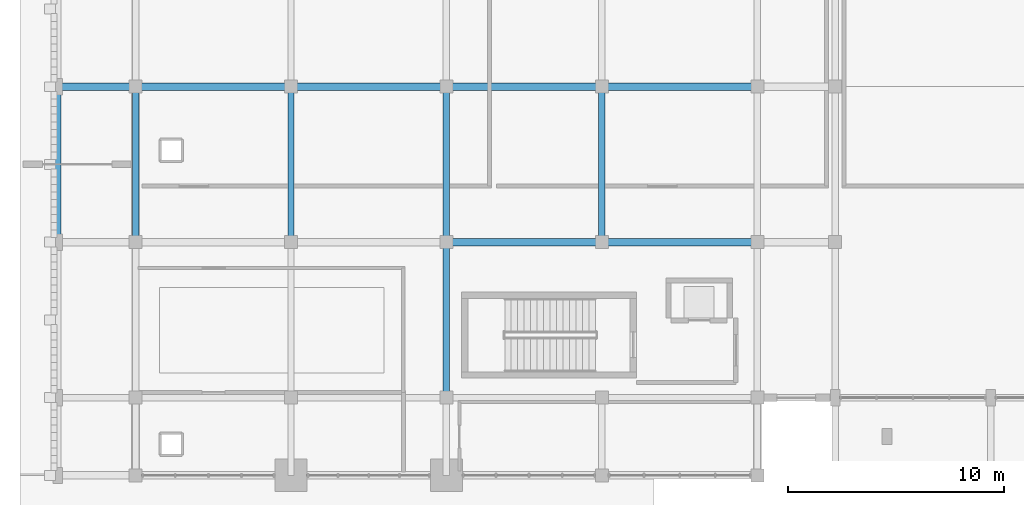
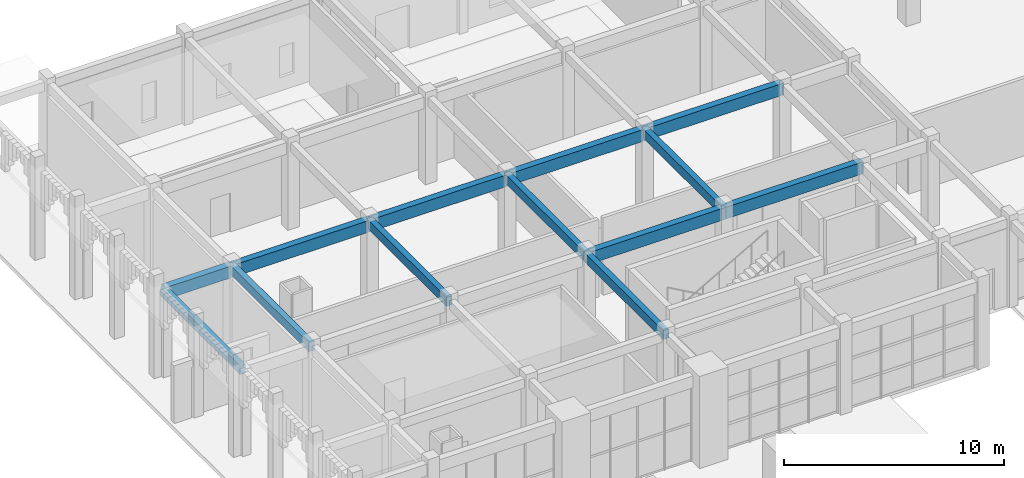
# One storey, part 11 of 72: 13 beams.
"""IFC4 building model written with IfcOpenShell, lengths in metres."""

from ifc_helpers import new_model, si_unit, direction, frame, origin, origin_2d, place, context, subcontext, project, spatial, rectangle, extrude, material, material_profile, profile_set, type_object, element, save


model = new_model("IFC4")

# Units and contexts
model_context = context("Model", 3, precision=1e-05, world=origin(), true_north=direction((0.0, 1.0)))
body_context = subcontext(model_context, "Body", "Model", "MODEL_VIEW")
ifc_project = project(units=[si_unit("LENGTHUNIT", "METRE"), si_unit("AREAUNIT", "SQUARE_METRE"), si_unit("VOLUMEUNIT", "CUBIC_METRE"), si_unit("PLANEANGLEUNIT", "RADIAN"), si_unit("MASSUNIT", "GRAM", prefix="KILO")], contexts=[model_context])

# Site, building, storey
site_placement = place(None, origin())
site = spatial("IfcSite", under=ifc_project, at=site_placement, CompositionType="ELEMENT")
building_placement = place(site_placement, origin())
building = spatial("IfcBuilding", under=site, at=building_placement, Name="Nzembalo Square Collegiate School", CompositionType="ELEMENT")
storey_placement = place(building_placement, origin())
storey = spatial("IfcBuildingStorey", under=building, at=storey_placement, Name="L00", CompositionType="ELEMENT", Elevation=0.0)

# Beams
ifc_material_1 = material(Name="Concrete C35/45", Category="concrete")
ifc_material_profile_1 = material_profile(ifc_material_1, rectangle(XDim=0.35009765625, YDim=0.64990234375, at=origin_2d()), Name="RC 350x650")
ifc_profile_set_1 = profile_set([ifc_material_profile_1], Name="Concrete C35/45")
beam_type_1 = type_object("IfcBeamType", Name="B01", PredefinedType="BEAM", material=ifc_profile_set_1)
for number, where, z_axis, x_axis, name in (
    (1, (22.800048828125, 90.0, 4.465087890625), (1.0, 0.0, 0.0), (0.0, 1.0, 0.0), "Beam B01 L00"),
    (2, (30.0, 90.0, 4.465087890625), (1.0, 0.0, 0.0), (0.0, 1.0, 0.0), "Beam B01 L00"),
):
    element("IfcBeam", number, at=place(storey_placement, frame(where, z_axis=z_axis, x_axis=x_axis)), inside=storey, type_object=beam_type_1, Name=name, PredefinedType="BEAM", context=body_context, shape_type="SweptSolid", body=[
        extrude(rectangle(XDim=0.35009765625, YDim=0.64990234375, at=origin_2d()), origin(), (0.0, 0.0, 1.0), 7.199951171875),
    ])
beam_1_placement = place(storey_placement, frame((4.800048828125, 97.199951171875, 4.465087890625), z_axis=(1.0, 0.0, 0.0), x_axis=(0.0, 1.0, 0.0)))
element("IfcBeam", 3, at=beam_1_placement, inside=storey, type_object=beam_type_1, Name="Beam B01 L00", PredefinedType="BEAM", context=body_context, shape_type="SweptSolid", body=[
    extrude(rectangle(XDim=0.35009765625, YDim=0.64990234375, at=origin_2d()), origin(), (0.0, 0.0, 1.0), 3.599853515625),
])
beam_2_placement = place(storey_placement, frame((8.39990234375, 97.199951171875, 4.465087890625), z_axis=(1.0, 0.0, 0.0), x_axis=(0.0, 1.0, 0.0)))
element("IfcBeam", 4, at=beam_2_placement, inside=storey, type_object=beam_type_1, Name="Beam B01 L00", PredefinedType="BEAM", context=body_context, shape_type="SweptSolid", body=[
    extrude(rectangle(XDim=0.35009765625, YDim=0.64990234375, at=origin_2d()), origin(), (0.0, 0.0, 1.0), 7.2001953125),
])
for number, where, z_axis, x_axis, name in (
    (5, (15.60009765625, 97.199951171875, 4.465087890625), (1.0, 0.0, 0.0), (0.0, 1.0, 0.0), "Beam B01 L00"),
    (6, (22.800048828125, 97.199951171875, 4.465087890625), (1.0, 0.0, 0.0), (0.0, 1.0, 0.0), "Beam B01 L00"),
    (7, (30.0, 97.199951171875, 4.465087890625), (1.0, 0.0, 0.0), (0.0, 1.0, 0.0), "Beam B01 L00"),
):
    element("IfcBeam", number, at=place(storey_placement, frame(where, z_axis=z_axis, x_axis=x_axis)), inside=storey, type_object=beam_type_1, Name=name, PredefinedType="BEAM", context=body_context, shape_type="SweptSolid", body=[
        extrude(rectangle(XDim=0.35009765625, YDim=0.64990234375, at=origin_2d()), origin(), (0.0, 0.0, 1.0), 7.199951171875),
    ])
ifc_material_2 = material(Name="Concrete C35/45", Category="concrete")
ifc_material_profile_2 = material_profile(ifc_material_2, rectangle(XDim=0.300048828125, YDim=0.5, at=origin_2d()), Name="RC 300x500")
ifc_profile_set_2 = profile_set([ifc_material_profile_2], Name="Concrete C35/45")
beam_type_2 = type_object("IfcBeamType", Name="B02", PredefinedType="BEAM", material=ifc_profile_set_2)
for number, where, z_axis, x_axis, name in (
    (8, (15.60009765625, 90.0, 4.5400390625), (0.0, 1.0, 0.0), (-1.0, 0.0, 0.0), "Beam B02 L00"),
    (9, (22.800048828125, 82.800048828125, 4.5400390625), (0.0, 1.0, 0.0), (-1.0, 0.0, 0.0), "Beam B02 L00"),
    (10, (22.800048828125, 90.0, 4.5400390625), (0.0, 1.0, 0.0), (-1.0, 0.0, 0.0), "Beam B02 L00"),
    (11, (30.0, 90.0, 4.5400390625), (0.0, 1.0, 0.0), (-1.0, 0.0, 0.0), "Beam B02 L00"),
):
    element("IfcBeam", number, at=place(storey_placement, frame(where, z_axis=z_axis, x_axis=x_axis)), inside=storey, type_object=beam_type_2, Name=name, PredefinedType="BEAM", context=body_context, shape_type="SweptSolid", body=[
        extrude(rectangle(XDim=0.300048828125, YDim=0.5, at=origin_2d()), origin(), (0.0, 0.0, 1.0), 7.199951171875),
    ])
ifc_material_3 = material(Name="Concrete C35/45", Category="concrete")
ifc_material_profile_3 = material_profile(ifc_material_3, rectangle(XDim=0.300048828125, YDim=0.5, at=origin_2d()), Name="RC 300x500")
ifc_profile_set_3 = profile_set([ifc_material_profile_3], Name="Concrete C35/45")
beam_type_3 = type_object("IfcBeamType", Name="SP01", PredefinedType="SPANDREL", material=ifc_profile_set_3)
for number, where, z_axis, x_axis, name in (
    (12, (4.800048828125, 90.0, 4.5400390625), (0.0, 1.0, 0.0), (-1.0, 0.0, 0.0), "Beam SP01 L00"),
    (13, (8.39990234375, 90.0, 4.5400390625), (0.0, 1.0, 0.0), (-1.0, 0.0, 0.0), "Beam SP01 L00"),
):
    element("IfcBeam", number, at=place(storey_placement, frame(where, z_axis=z_axis, x_axis=x_axis)), inside=storey, type_object=beam_type_3, Name=name, PredefinedType="SPANDREL", context=body_context, shape_type="SweptSolid", body=[
        extrude(rectangle(XDim=0.300048828125, YDim=0.5, at=origin_2d()), origin(), (0.0, 0.0, 1.0), 7.199951171875),
    ])

save(model, "model.ifc")
